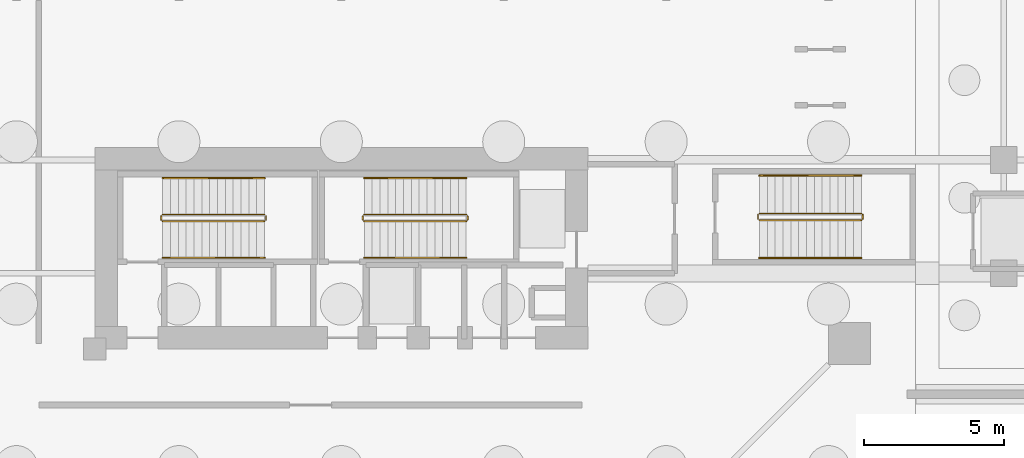
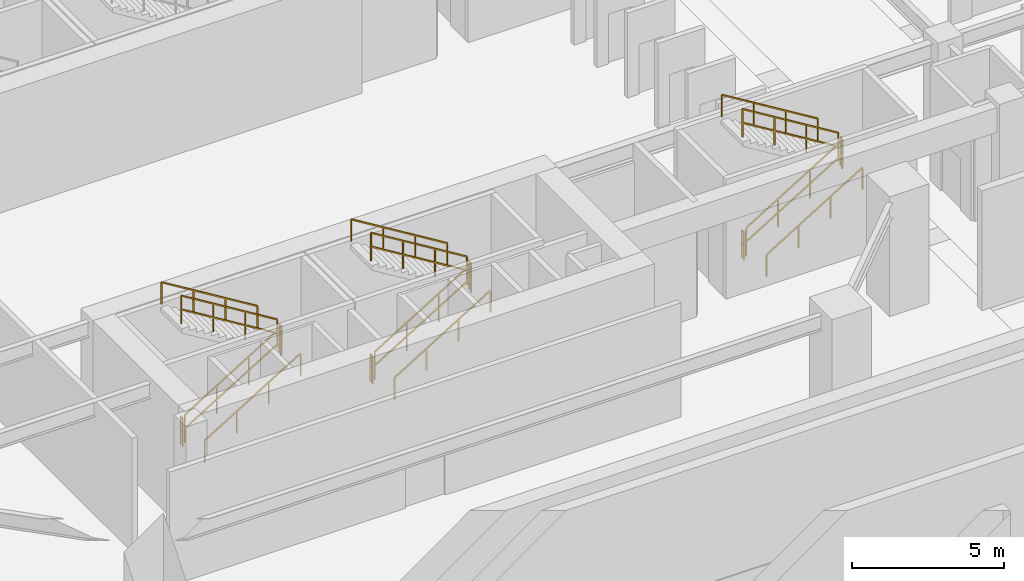
# One storey, part 9 of 13: 18 railings.
"""IFC4 building model written with IfcOpenShell, lengths in metres."""

from ifc_helpers import new_model, si_unit, direction, frame, origin, origin_2d, place, context, subcontext, project, spatial, rectangle, extrude, material, type_object, element, save


model = new_model("IFC4")

# Units and contexts
model_context = context("Model", 3, precision=1e-05, world=origin(), true_north=direction((0.0, 1.0)))
body_context = subcontext(model_context, "Body", "Model", "MODEL_VIEW")
ifc_project = project(units=[si_unit("LENGTHUNIT", "METRE"), si_unit("AREAUNIT", "SQUARE_METRE"), si_unit("VOLUMEUNIT", "CUBIC_METRE"), si_unit("PLANEANGLEUNIT", "RADIAN"), si_unit("MASSUNIT", "GRAM", prefix="KILO"), si_unit("THERMODYNAMICTEMPERATUREUNIT", "KELVIN"), si_unit("POWERUNIT", "WATT")], contexts=[model_context])

# Site, building, storey
site_placement = place(None, origin())
site = spatial("IfcSite", under=ifc_project, at=site_placement, CompositionType="ELEMENT")
building_placement = place(site_placement, origin())
building = spatial("IfcBuilding", under=site, at=building_placement, Name="Qiaomeng Ring Towers", CompositionType="ELEMENT")
storey_placement = place(building_placement, frame((0.0, 0.0, -9.60009765625)))
storey = spatial("IfcBuildingStorey", under=building, at=storey_placement, Name="B2", CompositionType="ELEMENT", Elevation=-9.60009765625)

# Railings
ifc_material_1 = material(Name="Galvanised steel", Category="steel")
railing_type_1 = type_object("IfcRailingType", Name="ARC-RL-GUARD", PredefinedType="GUARDRAIL", material=ifc_material_1)
railing_1_placement = place(storey_placement, frame((12.6201171875, 14.360107421875, 0.171630859375)))
element("IfcRailing", 1, at=railing_1_placement, inside=storey, type_object=railing_type_1, Name="B2 ST3 stair guard 1", PredefinedType="GUARDRAIL", context=body_context, shape_type="SweptSolid", body=[
    extrude(rectangle(XDim=0.048095703125, YDim=0.048095703125, at=origin_2d()), frame((0.0, 0.0, 1.1259765625), z_axis=(0.852850264322, 0.0, 0.5221555579), x_axis=(0.0, 1.0, 0.0)), (0.0, 0.0, 1.0), 4.267822265625),
    extrude(rectangle(XDim=0.048095703125, YDim=0.048095703125, at=origin_2d()), frame((0.0, 0.0, 0.574951171875), z_axis=(0.852850264322, 0.0, 0.5221555579), x_axis=(0.0, 1.0, 0.0)), (0.0, 0.0, 1.0), 4.267822265625),
    extrude(rectangle(XDim=0.0419921875, YDim=0.0419921875, at=origin_2d()), origin(), (0.0, 0.0, 1.0), 1.101806640625),
    extrude(rectangle(XDim=0.0419921875, YDim=0.0419921875, at=origin_2d()), frame((1.21337890625, 0.0, 0.742919921875)), (0.0, 0.0, 1.0), 1.101806640625),
    extrude(rectangle(XDim=0.0419921875, YDim=0.0419921875, at=origin_2d()), frame((2.426513671875, 0.0, 1.485595703125)), (0.0, 0.0, 1.0), 1.101806640625),
    extrude(rectangle(XDim=0.0419921875, YDim=0.0419921875, at=origin_2d()), frame((3.639892578125, 0.0, 2.228515625)), (0.0, 0.0, 1.0), 1.101806640625),
])
railing_2_placement = place(storey_placement, frame((16.31005859375, 14.409912109375, 2.400146484375)))
element("IfcRailing", 2, at=railing_2_placement, inside=storey, type_object=railing_type_1, Name="B2 ST3 stair guard 2", PredefinedType="GUARDRAIL", context=body_context, shape_type="SweptSolid", body=[
    extrude(rectangle(XDim=0.048095703125, YDim=0.048095703125, at=origin_2d()), frame((0.0, 0.0, 1.1259765625), z_axis=(0.0, 1.0, 0.0), x_axis=(-1.0, 0.0, 0.0)), (0.0, 0.0, 1.0), 0.14013671875),
    extrude(rectangle(XDim=0.048095703125, YDim=0.048095703125, at=origin_2d()), frame((0.0, 0.0, 0.574951171875), z_axis=(0.0, 1.0, 0.0), x_axis=(-1.0, 0.0, 0.0)), (0.0, 0.0, 1.0), 0.14013671875),
    extrude(rectangle(XDim=0.0419921875, YDim=0.0419921875, at=origin_2d()), origin(), (0.0, 0.0, 1.0), 1.101806640625),
    extrude(rectangle(XDim=0.0419921875, YDim=0.0419921875, at=origin_2d()), frame((0.0, 0.14013671875, 0.0)), (0.0, 0.0, 1.0), 1.101806640625),
])
railing_3_placement = place(storey_placement, frame((16.260009765625, 14.60009765625, 2.571533203125)))
element("IfcRailing", 3, at=railing_3_placement, inside=storey, type_object=railing_type_1, Name="B2 ST3 stair guard 3", PredefinedType="GUARDRAIL", context=body_context, shape_type="SweptSolid", body=[
    extrude(rectangle(XDim=0.048095703125, YDim=0.048095703125, at=origin_2d()), frame((0.0, 0.0, 1.1259765625), z_axis=(-0.852850264322, 0.0, 0.5221555579), x_axis=(0.0, -1.0, 0.0)), (0.0, 0.0, 1.0), 4.267822265625),
    extrude(rectangle(XDim=0.048095703125, YDim=0.048095703125, at=origin_2d()), frame((0.0, 0.0, 0.574951171875), z_axis=(-0.852850264322, 0.0, 0.5221555579), x_axis=(0.0, -1.0, 0.0)), (0.0, 0.0, 1.0), 4.267822265625),
    extrude(rectangle(XDim=0.0419921875, YDim=0.0419921875, at=origin_2d()), origin(), (0.0, 0.0, 1.0), 1.101806640625),
    extrude(rectangle(XDim=0.0419921875, YDim=0.0419921875, at=origin_2d()), frame((-1.21337890625, 0.0, 0.742919921875)), (0.0, 0.0, 1.0), 1.101806640625),
    extrude(rectangle(XDim=0.0419921875, YDim=0.0419921875, at=origin_2d()), frame((-2.426513671875, 0.0, 1.485595703125)), (0.0, 0.0, 1.0), 1.101806640625),
    extrude(rectangle(XDim=0.0419921875, YDim=0.0419921875, at=origin_2d()), frame((-3.639892578125, 0.0, 2.228515625)), (0.0, 0.0, 1.0), 1.101806640625),
])
railing_4_placement = place(storey_placement, frame((12.570068359375, 14.409912109375, 0.0)))
element("IfcRailing", 4, at=railing_4_placement, inside=storey, type_object=railing_type_1, Name="B2 ST3 stair guard 4", PredefinedType="GUARDRAIL", context=body_context, shape_type="SweptSolid", body=[
    extrude(rectangle(XDim=0.048095703125, YDim=0.048095703125, at=origin_2d()), frame((0.0, 0.0, 1.1259765625), z_axis=(0.0, 1.0, 0.0), x_axis=(-1.0, 0.0, 0.0)), (0.0, 0.0, 1.0), 0.14013671875),
    extrude(rectangle(XDim=0.048095703125, YDim=0.048095703125, at=origin_2d()), frame((0.0, 0.0, 0.574951171875), z_axis=(0.0, 1.0, 0.0), x_axis=(-1.0, 0.0, 0.0)), (0.0, 0.0, 1.0), 0.14013671875),
    extrude(rectangle(XDim=0.0419921875, YDim=0.0419921875, at=origin_2d()), origin(), (0.0, 0.0, 1.0), 1.101806640625),
    extrude(rectangle(XDim=0.0419921875, YDim=0.0419921875, at=origin_2d()), frame((0.0, 0.14013671875, 0.0)), (0.0, 0.0, 1.0), 1.101806640625),
])
railing_5_placement = place(storey_placement, frame((19.820068359375, 14.360107421875, 0.171630859375)))
element("IfcRailing", 5, at=railing_5_placement, inside=storey, type_object=railing_type_1, Name="B2 ST4 stair guard 1", PredefinedType="GUARDRAIL", context=body_context, shape_type="SweptSolid", body=[
    extrude(rectangle(XDim=0.048095703125, YDim=0.048095703125, at=origin_2d()), frame((0.0, 0.0, 1.1259765625), z_axis=(0.852850264322, 0.0, 0.5221555579), x_axis=(0.0, 1.0, 0.0)), (0.0, 0.0, 1.0), 4.267822265625),
    extrude(rectangle(XDim=0.048095703125, YDim=0.048095703125, at=origin_2d()), frame((0.0, 0.0, 0.574951171875), z_axis=(0.852850264322, 0.0, 0.5221555579), x_axis=(0.0, 1.0, 0.0)), (0.0, 0.0, 1.0), 4.267822265625),
    extrude(rectangle(XDim=0.0419921875, YDim=0.0419921875, at=origin_2d()), origin(), (0.0, 0.0, 1.0), 1.101806640625),
    extrude(rectangle(XDim=0.0419921875, YDim=0.0419921875, at=origin_2d()), frame((1.21337890625, 0.0, 0.742919921875)), (0.0, 0.0, 1.0), 1.101806640625),
    extrude(rectangle(XDim=0.0419921875, YDim=0.0419921875, at=origin_2d()), frame((2.426513671875, 0.0, 1.485595703125)), (0.0, 0.0, 1.0), 1.101806640625),
    extrude(rectangle(XDim=0.0419921875, YDim=0.0419921875, at=origin_2d()), frame((3.639892578125, 0.0, 2.228515625)), (0.0, 0.0, 1.0), 1.101806640625),
])
railing_6_placement = place(storey_placement, frame((23.510009765625, 14.409912109375, 2.400146484375)))
element("IfcRailing", 6, at=railing_6_placement, inside=storey, type_object=railing_type_1, Name="B2 ST4 stair guard 2", PredefinedType="GUARDRAIL", context=body_context, shape_type="SweptSolid", body=[
    extrude(rectangle(XDim=0.048095703125, YDim=0.048095703125, at=origin_2d()), frame((0.0, 0.0, 1.1259765625), z_axis=(0.0, 1.0, 0.0), x_axis=(-1.0, 0.0, 0.0)), (0.0, 0.0, 1.0), 0.14013671875),
    extrude(rectangle(XDim=0.048095703125, YDim=0.048095703125, at=origin_2d()), frame((0.0, 0.0, 0.574951171875), z_axis=(0.0, 1.0, 0.0), x_axis=(-1.0, 0.0, 0.0)), (0.0, 0.0, 1.0), 0.14013671875),
    extrude(rectangle(XDim=0.0419921875, YDim=0.0419921875, at=origin_2d()), origin(), (0.0, 0.0, 1.0), 1.101806640625),
    extrude(rectangle(XDim=0.0419921875, YDim=0.0419921875, at=origin_2d()), frame((0.0, 0.14013671875, 0.0)), (0.0, 0.0, 1.0), 1.101806640625),
])
railing_7_placement = place(storey_placement, frame((23.4599609375, 14.60009765625, 2.571533203125)))
element("IfcRailing", 7, at=railing_7_placement, inside=storey, type_object=railing_type_1, Name="B2 ST4 stair guard 3", PredefinedType="GUARDRAIL", context=body_context, shape_type="SweptSolid", body=[
    extrude(rectangle(XDim=0.048095703125, YDim=0.048095703125, at=origin_2d()), frame((0.0, 0.0, 1.1259765625), z_axis=(-0.852850264322, 0.0, 0.5221555579), x_axis=(0.0, -1.0, 0.0)), (0.0, 0.0, 1.0), 4.267822265625),
    extrude(rectangle(XDim=0.048095703125, YDim=0.048095703125, at=origin_2d()), frame((0.0, 0.0, 0.574951171875), z_axis=(-0.852850264322, 0.0, 0.5221555579), x_axis=(0.0, -1.0, 0.0)), (0.0, 0.0, 1.0), 4.267822265625),
    extrude(rectangle(XDim=0.0419921875, YDim=0.0419921875, at=origin_2d()), origin(), (0.0, 0.0, 1.0), 1.101806640625),
    extrude(rectangle(XDim=0.0419921875, YDim=0.0419921875, at=origin_2d()), frame((-1.21337890625, 0.0, 0.742919921875)), (0.0, 0.0, 1.0), 1.101806640625),
    extrude(rectangle(XDim=0.0419921875, YDim=0.0419921875, at=origin_2d()), frame((-2.426513671875, 0.0, 1.485595703125)), (0.0, 0.0, 1.0), 1.101806640625),
    extrude(rectangle(XDim=0.0419921875, YDim=0.0419921875, at=origin_2d()), frame((-3.639892578125, 0.0, 2.228515625)), (0.0, 0.0, 1.0), 1.101806640625),
])
railing_8_placement = place(storey_placement, frame((19.77001953125, 14.409912109375, 0.0)))
element("IfcRailing", 8, at=railing_8_placement, inside=storey, type_object=railing_type_1, Name="B2 ST4 stair guard 4", PredefinedType="GUARDRAIL", context=body_context, shape_type="SweptSolid", body=[
    extrude(rectangle(XDim=0.048095703125, YDim=0.048095703125, at=origin_2d()), frame((0.0, 0.0, 1.1259765625), z_axis=(0.0, 1.0, 0.0), x_axis=(-1.0, 0.0, 0.0)), (0.0, 0.0, 1.0), 0.14013671875),
    extrude(rectangle(XDim=0.048095703125, YDim=0.048095703125, at=origin_2d()), frame((0.0, 0.0, 0.574951171875), z_axis=(0.0, 1.0, 0.0), x_axis=(-1.0, 0.0, 0.0)), (0.0, 0.0, 1.0), 0.14013671875),
    extrude(rectangle(XDim=0.0419921875, YDim=0.0419921875, at=origin_2d()), origin(), (0.0, 0.0, 1.0), 1.101806640625),
    extrude(rectangle(XDim=0.0419921875, YDim=0.0419921875, at=origin_2d()), frame((0.0, 0.14013671875, 0.0)), (0.0, 0.0, 1.0), 1.101806640625),
])
railing_9_placement = place(storey_placement, frame((33.929931640625, 14.39990234375, 0.171630859375)))
element("IfcRailing", 9, at=railing_9_placement, inside=storey, type_object=railing_type_1, Name="B2 ST8 stair guard 1", PredefinedType="GUARDRAIL", context=body_context, shape_type="SweptSolid", body=[
    extrude(rectangle(XDim=0.048095703125, YDim=0.048095703125, at=origin_2d()), frame((0.0, 0.0, 1.1259765625), z_axis=(0.852865859571, 0.0, 0.52213008492), x_axis=(0.0, 1.0, 0.0)), (0.0, 0.0, 1.0), 4.26806640625),
    extrude(rectangle(XDim=0.048095703125, YDim=0.048095703125, at=origin_2d()), frame((0.0, 0.0, 0.574951171875), z_axis=(0.852865859571, 0.0, 0.52213008492), x_axis=(0.0, 1.0, 0.0)), (0.0, 0.0, 1.0), 4.26806640625),
    extrude(rectangle(XDim=0.0419921875, YDim=0.0419921875, at=origin_2d()), origin(), (0.0, 0.0, 1.0), 1.101806640625),
    extrude(rectangle(XDim=0.0419921875, YDim=0.0419921875, at=origin_2d()), frame((1.21337890625, 0.0, 0.742919921875)), (0.0, 0.0, 1.0), 1.101806640625),
    extrude(rectangle(XDim=0.0419921875, YDim=0.0419921875, at=origin_2d()), frame((2.4267578125, 0.0, 1.485595703125)), (0.0, 0.0, 1.0), 1.101806640625),
    extrude(rectangle(XDim=0.0419921875, YDim=0.0419921875, at=origin_2d()), frame((3.64013671875, 0.0, 2.228515625)), (0.0, 0.0, 1.0), 1.101806640625),
])
railing_10_placement = place(storey_placement, frame((37.6201171875, 14.449951171875, 2.400146484375)))
element("IfcRailing", 10, at=railing_10_placement, inside=storey, type_object=railing_type_1, Name="B2 ST8 stair guard 2", PredefinedType="GUARDRAIL", context=body_context, shape_type="SweptSolid", body=[
    extrude(rectangle(XDim=0.048095703125, YDim=0.048095703125, at=origin_2d()), frame((0.0, 0.0, 1.1259765625), z_axis=(0.0, 1.0, 0.0), x_axis=(-1.0, 0.0, 0.0)), (0.0, 0.0, 1.0), 0.14013671875),
    extrude(rectangle(XDim=0.048095703125, YDim=0.048095703125, at=origin_2d()), frame((0.0, 0.0, 0.574951171875), z_axis=(0.0, 1.0, 0.0), x_axis=(-1.0, 0.0, 0.0)), (0.0, 0.0, 1.0), 0.14013671875),
    extrude(rectangle(XDim=0.0419921875, YDim=0.0419921875, at=origin_2d()), origin(), (0.0, 0.0, 1.0), 1.101806640625),
    extrude(rectangle(XDim=0.0419921875, YDim=0.0419921875, at=origin_2d()), frame((0.0, 0.14013671875, 0.0)), (0.0, 0.0, 1.0), 1.101806640625),
])
railing_11_placement = place(storey_placement, frame((37.570068359375, 14.639892578125, 2.571533203125)))
element("IfcRailing", 11, at=railing_11_placement, inside=storey, type_object=railing_type_1, Name="B2 ST8 stair guard 3", PredefinedType="GUARDRAIL", context=body_context, shape_type="SweptSolid", body=[
    extrude(rectangle(XDim=0.048095703125, YDim=0.048095703125, at=origin_2d()), frame((0.0, 0.0, 1.1259765625), z_axis=(-0.852865859571, 0.0, 0.52213008492), x_axis=(0.0, -1.0, 0.0)), (0.0, 0.0, 1.0), 4.26806640625),
    extrude(rectangle(XDim=0.048095703125, YDim=0.048095703125, at=origin_2d()), frame((0.0, 0.0, 0.574951171875), z_axis=(-0.852865859571, 0.0, 0.52213008492), x_axis=(0.0, -1.0, 0.0)), (0.0, 0.0, 1.0), 4.26806640625),
    extrude(rectangle(XDim=0.0419921875, YDim=0.0419921875, at=origin_2d()), origin(), (0.0, 0.0, 1.0), 1.101806640625),
    extrude(rectangle(XDim=0.0419921875, YDim=0.0419921875, at=origin_2d()), frame((-1.21337890625, 0.0, 0.742919921875)), (0.0, 0.0, 1.0), 1.101806640625),
    extrude(rectangle(XDim=0.0419921875, YDim=0.0419921875, at=origin_2d()), frame((-2.4267578125, 0.0, 1.485595703125)), (0.0, 0.0, 1.0), 1.101806640625),
    extrude(rectangle(XDim=0.0419921875, YDim=0.0419921875, at=origin_2d()), frame((-3.64013671875, 0.0, 2.228515625)), (0.0, 0.0, 1.0), 1.101806640625),
])
railing_12_placement = place(storey_placement, frame((33.8798828125, 14.449951171875, 0.0)))
element("IfcRailing", 12, at=railing_12_placement, inside=storey, type_object=railing_type_1, Name="B2 ST8 stair guard 4", PredefinedType="GUARDRAIL", context=body_context, shape_type="SweptSolid", body=[
    extrude(rectangle(XDim=0.048095703125, YDim=0.048095703125, at=origin_2d()), frame((0.0, 0.0, 1.1259765625), z_axis=(0.0, 1.0, 0.0), x_axis=(-1.0, 0.0, 0.0)), (0.0, 0.0, 1.0), 0.14013671875),
    extrude(rectangle(XDim=0.048095703125, YDim=0.048095703125, at=origin_2d()), frame((0.0, 0.0, 0.574951171875), z_axis=(0.0, 1.0, 0.0), x_axis=(-1.0, 0.0, 0.0)), (0.0, 0.0, 1.0), 0.14013671875),
    extrude(rectangle(XDim=0.0419921875, YDim=0.0419921875, at=origin_2d()), origin(), (0.0, 0.0, 1.0), 1.101806640625),
    extrude(rectangle(XDim=0.0419921875, YDim=0.0419921875, at=origin_2d()), frame((0.0, 0.14013671875, 0.0)), (0.0, 0.0, 1.0), 1.101806640625),
])
ifc_material_2 = material(Name="Stainless steel 316", Category="steel")
railing_type_2 = type_object("IfcRailingType", Name="ARC-RL-HAND", PredefinedType="HANDRAIL", material=ifc_material_2)
railing_13_placement = place(storey_placement, frame((12.6201171875, 13.06005859375, 0.171630859375)))
element("IfcRailing", 13, at=railing_13_placement, inside=storey, type_object=railing_type_2, Name="B2 ST3 stair handrail 1", PredefinedType="HANDRAIL", context=body_context, shape_type="SweptSolid", body=[
    extrude(rectangle(XDim=0.048095703125, YDim=0.048095703125, at=origin_2d()), frame((0.0, 0.0, 0.8759765625), z_axis=(0.852850264322, 0.0, 0.5221555579), x_axis=(0.0, 1.0, 0.0)), (0.0, 0.0, 1.0), 4.267822265625),
    extrude(rectangle(XDim=0.0419921875, YDim=0.0419921875, at=origin_2d()), origin(), (0.0, 0.0, 1.0), 0.851806640625),
    extrude(rectangle(XDim=0.0419921875, YDim=0.0419921875, at=origin_2d()), frame((1.21337890625, 0.0, 0.742919921875)), (0.0, 0.0, 1.0), 0.851806640625),
    extrude(rectangle(XDim=0.0419921875, YDim=0.0419921875, at=origin_2d()), frame((2.426513671875, 0.0, 1.485595703125)), (0.0, 0.0, 1.0), 0.851806640625),
    extrude(rectangle(XDim=0.0419921875, YDim=0.0419921875, at=origin_2d()), frame((3.639892578125, 0.0, 2.228515625)), (0.0, 0.0, 1.0), 0.851806640625),
])
railing_14_placement = place(storey_placement, frame((16.260009765625, 15.89990234375, 2.571533203125)))
element("IfcRailing", 14, at=railing_14_placement, inside=storey, type_object=railing_type_2, Name="B2 ST3 stair handrail 2", PredefinedType="HANDRAIL", context=body_context, shape_type="SweptSolid", body=[
    extrude(rectangle(XDim=0.048095703125, YDim=0.048095703125, at=origin_2d()), frame((0.0, 0.0, 0.8759765625), z_axis=(-0.852850264322, 0.0, 0.5221555579), x_axis=(0.0, -1.0, 0.0)), (0.0, 0.0, 1.0), 4.267822265625),
    extrude(rectangle(XDim=0.0419921875, YDim=0.0419921875, at=origin_2d()), origin(), (0.0, 0.0, 1.0), 0.851806640625),
    extrude(rectangle(XDim=0.0419921875, YDim=0.0419921875, at=origin_2d()), frame((-1.21337890625, 0.0, 0.742919921875)), (0.0, 0.0, 1.0), 0.851806640625),
    extrude(rectangle(XDim=0.0419921875, YDim=0.0419921875, at=origin_2d()), frame((-2.426513671875, 0.0, 1.485595703125)), (0.0, 0.0, 1.0), 0.851806640625),
    extrude(rectangle(XDim=0.0419921875, YDim=0.0419921875, at=origin_2d()), frame((-3.639892578125, 0.0, 2.228515625)), (0.0, 0.0, 1.0), 0.851806640625),
])
railing_15_placement = place(storey_placement, frame((19.820068359375, 13.06005859375, 0.171630859375)))
element("IfcRailing", 15, at=railing_15_placement, inside=storey, type_object=railing_type_2, Name="B2 ST4 stair handrail 1", PredefinedType="HANDRAIL", context=body_context, shape_type="SweptSolid", body=[
    extrude(rectangle(XDim=0.048095703125, YDim=0.048095703125, at=origin_2d()), frame((0.0, 0.0, 0.8759765625), z_axis=(0.852850264322, 0.0, 0.5221555579), x_axis=(0.0, 1.0, 0.0)), (0.0, 0.0, 1.0), 4.267822265625),
    extrude(rectangle(XDim=0.0419921875, YDim=0.0419921875, at=origin_2d()), origin(), (0.0, 0.0, 1.0), 0.851806640625),
    extrude(rectangle(XDim=0.0419921875, YDim=0.0419921875, at=origin_2d()), frame((1.21337890625, 0.0, 0.742919921875)), (0.0, 0.0, 1.0), 0.851806640625),
    extrude(rectangle(XDim=0.0419921875, YDim=0.0419921875, at=origin_2d()), frame((2.426513671875, 0.0, 1.485595703125)), (0.0, 0.0, 1.0), 0.851806640625),
    extrude(rectangle(XDim=0.0419921875, YDim=0.0419921875, at=origin_2d()), frame((3.639892578125, 0.0, 2.228515625)), (0.0, 0.0, 1.0), 0.851806640625),
])
railing_16_placement = place(storey_placement, frame((23.4599609375, 15.89990234375, 2.571533203125)))
element("IfcRailing", 16, at=railing_16_placement, inside=storey, type_object=railing_type_2, Name="B2 ST4 stair handrail 2", PredefinedType="HANDRAIL", context=body_context, shape_type="SweptSolid", body=[
    extrude(rectangle(XDim=0.048095703125, YDim=0.048095703125, at=origin_2d()), frame((0.0, 0.0, 0.8759765625), z_axis=(-0.852850264322, 0.0, 0.5221555579), x_axis=(0.0, -1.0, 0.0)), (0.0, 0.0, 1.0), 4.267822265625),
    extrude(rectangle(XDim=0.0419921875, YDim=0.0419921875, at=origin_2d()), origin(), (0.0, 0.0, 1.0), 0.851806640625),
    extrude(rectangle(XDim=0.0419921875, YDim=0.0419921875, at=origin_2d()), frame((-1.21337890625, 0.0, 0.742919921875)), (0.0, 0.0, 1.0), 0.851806640625),
    extrude(rectangle(XDim=0.0419921875, YDim=0.0419921875, at=origin_2d()), frame((-2.426513671875, 0.0, 1.485595703125)), (0.0, 0.0, 1.0), 0.851806640625),
    extrude(rectangle(XDim=0.0419921875, YDim=0.0419921875, at=origin_2d()), frame((-3.639892578125, 0.0, 2.228515625)), (0.0, 0.0, 1.0), 0.851806640625),
])
railing_17_placement = place(storey_placement, frame((33.929931640625, 13.050048828125, 0.171630859375)))
element("IfcRailing", 17, at=railing_17_placement, inside=storey, type_object=railing_type_2, Name="B2 ST8 stair handrail 1", PredefinedType="HANDRAIL", context=body_context, shape_type="SweptSolid", body=[
    extrude(rectangle(XDim=0.048095703125, YDim=0.048095703125, at=origin_2d()), frame((0.0, 0.0, 0.8759765625), z_axis=(0.852865859571, 0.0, 0.52213008492), x_axis=(0.0, 1.0, 0.0)), (0.0, 0.0, 1.0), 4.26806640625),
    extrude(rectangle(XDim=0.0419921875, YDim=0.0419921875, at=origin_2d()), origin(), (0.0, 0.0, 1.0), 0.851806640625),
    extrude(rectangle(XDim=0.0419921875, YDim=0.0419921875, at=origin_2d()), frame((1.21337890625, 0.0, 0.742919921875)), (0.0, 0.0, 1.0), 0.851806640625),
    extrude(rectangle(XDim=0.0419921875, YDim=0.0419921875, at=origin_2d()), frame((2.4267578125, 0.0, 1.485595703125)), (0.0, 0.0, 1.0), 0.851806640625),
    extrude(rectangle(XDim=0.0419921875, YDim=0.0419921875, at=origin_2d()), frame((3.64013671875, 0.0, 2.228515625)), (0.0, 0.0, 1.0), 0.851806640625),
])
railing_18_placement = place(storey_placement, frame((37.570068359375, 15.989990234375, 2.571533203125)))
element("IfcRailing", 18, at=railing_18_placement, inside=storey, type_object=railing_type_2, Name="B2 ST8 stair handrail 2", PredefinedType="HANDRAIL", context=body_context, shape_type="SweptSolid", body=[
    extrude(rectangle(XDim=0.048095703125, YDim=0.048095703125, at=origin_2d()), frame((0.0, 0.0, 0.8759765625), z_axis=(-0.852865859571, 0.0, 0.52213008492), x_axis=(0.0, -1.0, 0.0)), (0.0, 0.0, 1.0), 4.26806640625),
    extrude(rectangle(XDim=0.0419921875, YDim=0.0419921875, at=origin_2d()), origin(), (0.0, 0.0, 1.0), 0.851806640625),
    extrude(rectangle(XDim=0.0419921875, YDim=0.0419921875, at=origin_2d()), frame((-1.21337890625, 0.0, 0.742919921875)), (0.0, 0.0, 1.0), 0.851806640625),
    extrude(rectangle(XDim=0.0419921875, YDim=0.0419921875, at=origin_2d()), frame((-2.4267578125, 0.0, 1.485595703125)), (0.0, 0.0, 1.0), 0.851806640625),
    extrude(rectangle(XDim=0.0419921875, YDim=0.0419921875, at=origin_2d()), frame((-3.64013671875, 0.0, 2.228515625)), (0.0, 0.0, 1.0), 0.851806640625),
])

save(model, "model.ifc")
